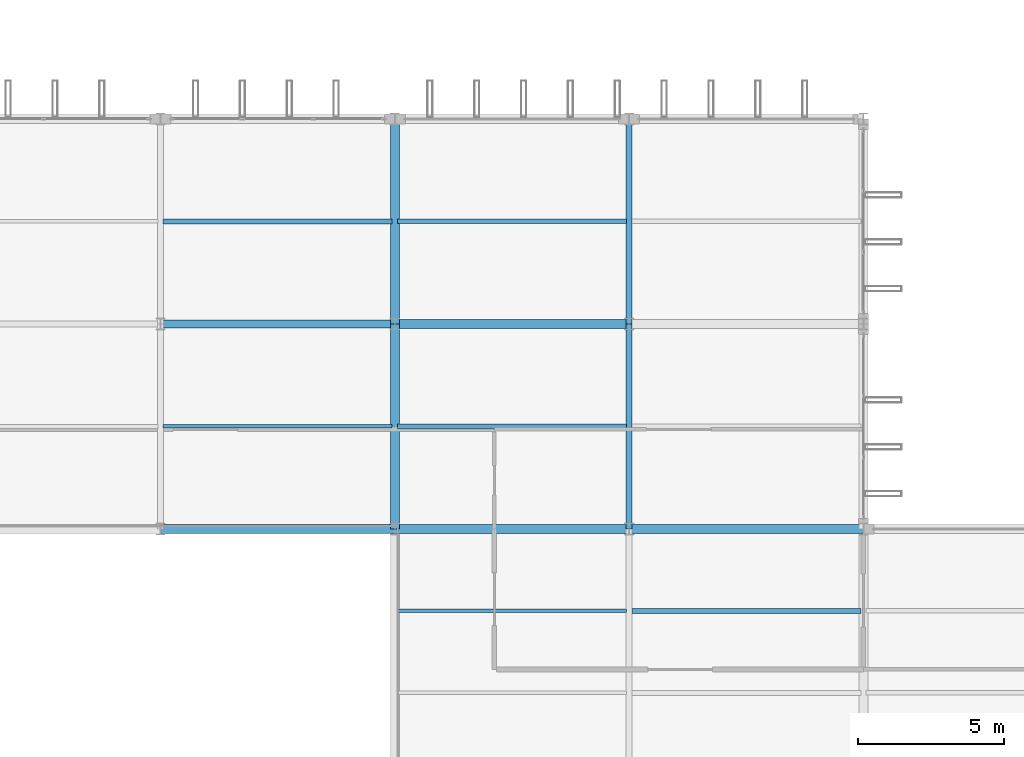
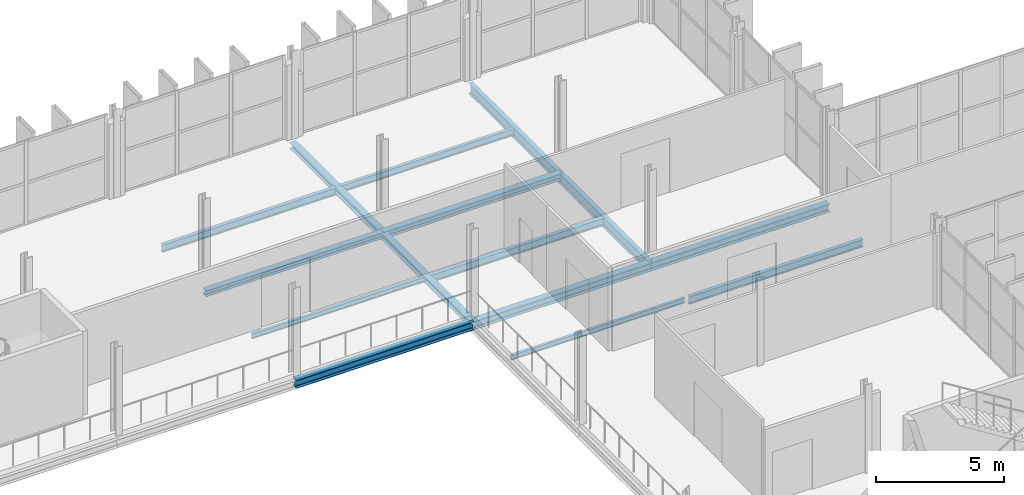
# One storey, part 44 of 101: 15 beams.
"""IFC4 building model written with IfcOpenShell, lengths in metres."""

from ifc_helpers import new_model, si_unit, direction, frame, origin, origin_2d, place, context, subcontext, project, spatial, i_section, extrude, material, material_profile, profile_set, type_object, element, save


model = new_model("IFC4")

# Units and contexts
model_context = context("Model", 3, precision=1e-05, world=origin(), true_north=direction((0.0, 1.0)))
body_context = subcontext(model_context, "Body", "Model", "MODEL_VIEW")
ifc_project = project(units=[si_unit("LENGTHUNIT", "METRE"), si_unit("AREAUNIT", "SQUARE_METRE"), si_unit("VOLUMEUNIT", "CUBIC_METRE"), si_unit("PLANEANGLEUNIT", "RADIAN"), si_unit("MASSUNIT", "GRAM", prefix="KILO")], contexts=[model_context])

# Site, building, storey
site_placement = place(None, origin())
site = spatial("IfcSite", under=ifc_project, at=site_placement, CompositionType="ELEMENT")
building_placement = place(site_placement, origin())
building = spatial("IfcBuilding", under=site, at=building_placement, Name="Vekula Escarpment Museum", CompositionType="ELEMENT")
storey_placement = place(building_placement, frame((0.0, 0.0, 18.0)))
storey = spatial("IfcBuildingStorey", under=building, at=storey_placement, Name="L04", CompositionType="ELEMENT", Elevation=18.0)

# Beams
ifc_material_1 = material(Name="Steel S355", Category="steel")
ifc_material_profile_1 = material_profile(ifc_material_1, i_section(OverallWidth=0.280029296875, OverallDepth=0.280029296875, WebThickness=0.010498046875, FlangeThickness=0.01806640625, FilletRadius=0.02392578125, at=origin_2d()), Name="HEB 280")
ifc_profile_set_1 = profile_set([ifc_material_profile_1], Name="Steel S355")
beam_type_1 = type_object("IfcBeamType", Name="BM-GIRD-HEB280", PredefinedType="BEAM", material=ifc_profile_set_1)
beam_1_placement = place(storey_placement, frame((102.0, 83.39990234375, -0.3798828125), z_axis=(1.0, 0.0, 0.0), x_axis=(0.0, 1.0, 0.0)))
element("IfcBeam", 1, at=beam_1_placement, inside=storey, type_object=beam_type_1, Name="Beam X L04 1775", PredefinedType="BEAM", context=body_context, shape_type="SweptSolid", body=[
    extrude(i_section(OverallWidth=0.280029296875, OverallDepth=0.280029296875, WebThickness=0.010498046875, FlangeThickness=0.01806640625, FilletRadius=0.02392578125, at=origin_2d()), origin(), (0.0, 0.0, 1.0), 8.0),
])
ifc_material_2 = material(Name="Steel S355", Category="steel")
ifc_material_profile_2 = material_profile(ifc_material_2, i_section(OverallWidth=0.300048828125, OverallDepth=0.320068359375, WebThickness=0.011474609375, FlangeThickness=0.0205078125, FilletRadius=0.027099609375, at=origin_2d()), Name="HEB 320")
ifc_profile_set_2 = profile_set([ifc_material_profile_2], Name="Steel S355")
beam_type_2 = type_object("IfcBeamType", Name="BM-GIRD-HEB320", PredefinedType="BEAM", material=ifc_profile_set_2)
beam_2_placement = place(storey_placement, frame((110.0, 83.39990234375, -0.39990234375), z_axis=(1.0, 0.0, 0.0), x_axis=(0.0, 1.0, 0.0)))
element("IfcBeam", 2, at=beam_2_placement, inside=storey, type_object=beam_type_2, Name="Beam X L04 1776", PredefinedType="BEAM", context=body_context, shape_type="SweptSolid", body=[
    extrude(i_section(OverallWidth=0.300048828125, OverallDepth=0.320068359375, WebThickness=0.011474609375, FlangeThickness=0.0205078125, FilletRadius=0.027099609375, at=origin_2d()), origin(), (0.0, 0.0, 1.0), 8.0),
])
ifc_material_3 = material(Name="Steel S355", Category="steel")
ifc_material_profile_3 = material_profile(ifc_material_3, i_section(OverallWidth=0.199951171875, OverallDepth=0.5, WebThickness=0.01025390625, FlangeThickness=0.01611328125, FilletRadius=0.02099609375, at=origin_2d()), Name="IPE 500")
ifc_profile_set_3 = profile_set([ifc_material_profile_3], Name="Steel S355")
beam_type_3 = type_object("IfcBeamType", Name="BM-GIRD-IPE500", PredefinedType="BEAM", material=ifc_profile_set_3)
for number, where, z_axis, x_axis, name in (
    (3, (118.0, 76.39990234375, -0.489990234375), (0.0, 1.0, 0.0), (-1.0, 0.0, 0.0), "Beam Y L04 1909"),
    (4, (118.0, 83.39990234375, -0.489990234375), (0.0, 1.0, 0.0), (-1.0, 0.0, 0.0), "Beam Y L04 1910"),
):
    element("IfcBeam", number, at=place(storey_placement, frame(where, z_axis=z_axis, x_axis=x_axis)), inside=storey, type_object=beam_type_3, Name=name, PredefinedType="BEAM", context=body_context, shape_type="SweptSolid", body=[
        extrude(i_section(OverallWidth=0.199951171875, OverallDepth=0.5, WebThickness=0.01025390625, FlangeThickness=0.01611328125, FilletRadius=0.02099609375, at=origin_2d()), origin(), (0.0, 0.0, 1.0), 7.0),
    ])
ifc_material_4 = material(Name="Steel S355", Category="steel")
ifc_material_profile_4 = material_profile(ifc_material_4, i_section(OverallWidth=0.1201171875, OverallDepth=0.239990234375, WebThickness=0.006103515625, FlangeThickness=0.009765625, FilletRadius=0.014892578125, at=origin_2d()), Name="IPE 240")
ifc_profile_set_4 = profile_set([ifc_material_profile_4], Name="Steel S355")
beam_type_4 = type_object("IfcBeamType", Name="BM-JST-IPE240", PredefinedType="JOIST", material=ifc_profile_set_4)
for number, where, z_axis, x_axis, name in (
    (5, (102.090087890625, 79.89990234375, -0.360107421875), (1.0, 0.0, 0.0), (0.0, 1.0, 0.0), "Secondary Joist L04 1221"),
    (6, (110.090087890625, 73.60009765625, -0.360107421875), (1.0, 0.0, 0.0), (0.0, 1.0, 0.0), "Secondary Joist L04 1228"),
):
    element("IfcBeam", number, at=place(storey_placement, frame(where, z_axis=z_axis, x_axis=x_axis)), inside=storey, type_object=beam_type_4, Name=name, PredefinedType="JOIST", context=body_context, shape_type="SweptSolid", body=[
        extrude(i_section(OverallWidth=0.1201171875, OverallDepth=0.239990234375, WebThickness=0.006103515625, FlangeThickness=0.009765625, FilletRadius=0.014892578125, at=origin_2d()), origin(), (0.0, 0.0, 1.0), 7.81982421875),
    ])
ifc_material_5 = material(Name="Steel S355", Category="steel")
ifc_material_profile_5 = material_profile(ifc_material_5, i_section(OverallWidth=0.159912109375, OverallDepth=0.330078125, WebThickness=0.007568359375, FlangeThickness=0.011474609375, FilletRadius=0.01806640625, at=origin_2d()), Name="IPE 330")
ifc_profile_set_5 = profile_set([ifc_material_profile_5], Name="Steel S355")
beam_type_5 = type_object("IfcBeamType", Name="BM-JST-IPE330", PredefinedType="JOIST", material=ifc_profile_set_5)
beam_3_placement = place(storey_placement, frame((110.090087890625, 86.89990234375, -0.405029296875), z_axis=(1.0, 0.0, 0.0), x_axis=(0.0, 1.0, 0.0)))
element("IfcBeam", 7, at=beam_3_placement, inside=storey, type_object=beam_type_5, Name="Secondary Joist L04 1230", PredefinedType="JOIST", context=body_context, shape_type="SweptSolid", body=[
    extrude(i_section(OverallWidth=0.159912109375, OverallDepth=0.330078125, WebThickness=0.007568359375, FlangeThickness=0.011474609375, FilletRadius=0.01806640625, at=origin_2d()), origin(), (0.0, 0.0, 1.0), 7.81982421875),
])
ifc_material_6 = material(Name="Steel S355", Category="steel")
ifc_material_profile_6 = material_profile(ifc_material_6, i_section(OverallWidth=0.169921875, OverallDepth=0.360107421875, WebThickness=0.008056640625, FlangeThickness=0.0126953125, FilletRadius=0.01806640625, at=origin_2d()), Name="IPE 360")
ifc_profile_set_6 = profile_set([ifc_material_profile_6], Name="Steel S355")
beam_type_6 = type_object("IfcBeamType", Name="BM-JST-IPE360", PredefinedType="JOIST", material=ifc_profile_set_6)
for number, where, z_axis, x_axis, name in (
    (8, (102.090087890625, 86.89990234375, -0.419921875), (1.0, 0.0, 0.0), (0.0, 1.0, 0.0), "Secondary Joist L04 1222"),
    (9, (110.090087890625, 79.89990234375, -0.419921875), (1.0, 0.0, 0.0), (0.0, 1.0, 0.0), "Secondary Joist L04 1229"),
    (10, (118.090087890625, 73.60009765625, -0.419921875), (1.0, 0.0, 0.0), (0.0, 1.0, 0.0), "Secondary Joist L04 1235"),
):
    element("IfcBeam", number, at=place(storey_placement, frame(where, z_axis=z_axis, x_axis=x_axis)), inside=storey, type_object=beam_type_6, Name=name, PredefinedType="JOIST", context=body_context, shape_type="SweptSolid", body=[
        extrude(i_section(OverallWidth=0.169921875, OverallDepth=0.360107421875, WebThickness=0.008056640625, FlangeThickness=0.0126953125, FilletRadius=0.01806640625, at=origin_2d()), origin(), (0.0, 0.0, 1.0), 7.81982421875),
    ])
ifc_material_7 = material(Name="Steel S355", Category="steel")
ifc_material_profile_7 = material_profile(ifc_material_7, i_section(OverallWidth=0.300048828125, OverallDepth=0.2900390625, WebThickness=0.008544921875, FlangeThickness=0.013916015625, FilletRadius=0.027099609375, at=origin_2d()), Name="HEA 300")
ifc_profile_set_7 = profile_set([ifc_material_profile_7], Name="Steel S355")
beam_type_7 = type_object("IfcBeamType", Name="BM-SPAN-HEA300", PredefinedType="SPANDREL", material=ifc_profile_set_7)
for number, where, z_axis, x_axis, name in (
    (11, (110.0, 76.39990234375, -0.385009765625), (0.0, 1.0, 0.0), (-1.0, 0.0, 0.0), "Beam Y L04 1903"),
    (12, (110.0, 83.39990234375, -0.385009765625), (0.0, 1.0, 0.0), (-1.0, 0.0, 0.0), "Beam Y L04 1904"),
):
    element("IfcBeam", number, at=place(storey_placement, frame(where, z_axis=z_axis, x_axis=x_axis)), inside=storey, type_object=beam_type_7, Name=name, PredefinedType="SPANDREL", context=body_context, shape_type="SweptSolid", body=[
        extrude(i_section(OverallWidth=0.300048828125, OverallDepth=0.2900390625, WebThickness=0.008544921875, FlangeThickness=0.013916015625, FilletRadius=0.027099609375, at=origin_2d()), origin(), (0.0, 0.0, 1.0), 7.0),
    ])
ifc_material_8 = material(Name="Steel S355", Category="steel")
ifc_material_profile_8 = material_profile(ifc_material_8, i_section(OverallWidth=0.300048828125, OverallDepth=0.389892578125, WebThickness=0.010986328125, FlangeThickness=0.01904296875, FilletRadius=0.027099609375, at=origin_2d()), Name="HEA 400")
ifc_profile_set_8 = profile_set([ifc_material_profile_8], Name="Steel S355")
beam_type_8 = type_object("IfcBeamType", Name="BM-SPAN-HEA400", PredefinedType="SPANDREL", material=ifc_profile_set_8)
for number, where, z_axis, x_axis, name in (
    (13, (102.0, 76.39990234375, -0.43505859375), (1.0, 0.0, 0.0), (0.0, 1.0, 0.0), "Beam X L04 1753"),
    (14, (110.0, 76.39990234375, -0.43505859375), (1.0, 0.0, 0.0), (0.0, 1.0, 0.0), "Beam X L04 1754"),
    (15, (118.0, 76.39990234375, -0.43505859375), (1.0, 0.0, 0.0), (0.0, 1.0, 0.0), "Beam X L04 1755"),
):
    element("IfcBeam", number, at=place(storey_placement, frame(where, z_axis=z_axis, x_axis=x_axis)), inside=storey, type_object=beam_type_8, Name=name, PredefinedType="SPANDREL", context=body_context, shape_type="SweptSolid", body=[
        extrude(i_section(OverallWidth=0.300048828125, OverallDepth=0.389892578125, WebThickness=0.010986328125, FlangeThickness=0.01904296875, FilletRadius=0.027099609375, at=origin_2d()), origin(), (0.0, 0.0, 1.0), 8.0),
    ])

save(model, "model.ifc")
